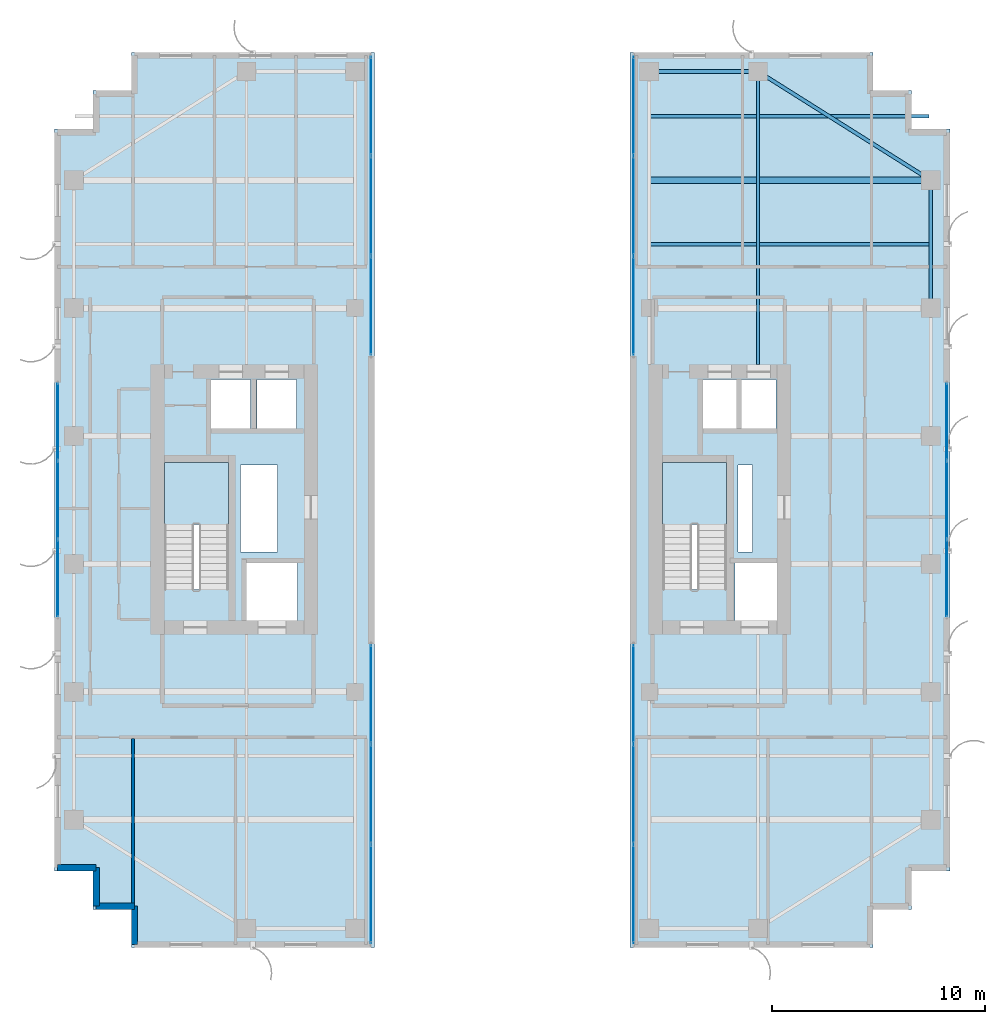
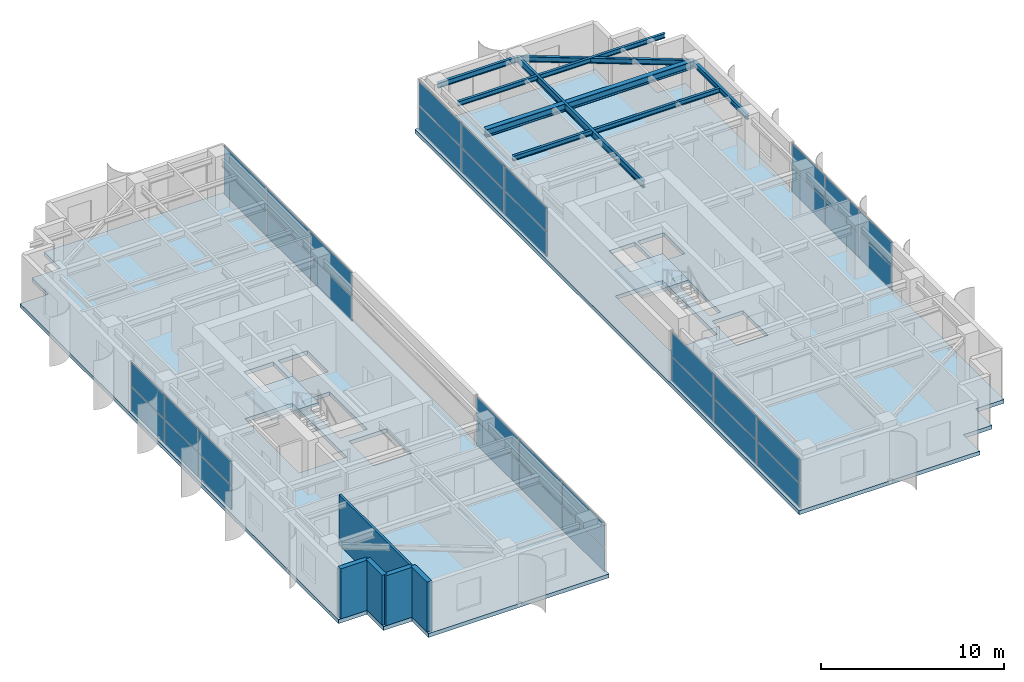
# One storey, part 15 of 22: 36 plates, 7 beams, 5 walls, 4 slabs, 8 elements without a shape of their own.
"""IFC4 building model written with IfcOpenShell, lengths in metres."""

from ifc_helpers import new_model, si_unit, direction, frame, frame_2d, origin, origin_2d, place, context, subcontext, project, spatial, polyline, rectangle, i_section, outline, extrude, source, transform, mapped, material, layer, layer_set, material_profile, profile_set, type_object, element, aggregate, save


model = new_model("IFC4")

# Units and contexts
model_context = context("Model", 3, precision=1e-05, world=origin(), true_north=direction((0.0, 1.0)))
body_context = subcontext(model_context, "Body", "Model", "MODEL_VIEW")
ifc_project = project(units=[si_unit("LENGTHUNIT", "METRE"), si_unit("AREAUNIT", "SQUARE_METRE"), si_unit("VOLUMEUNIT", "CUBIC_METRE"), si_unit("PLANEANGLEUNIT", "RADIAN"), si_unit("MASSUNIT", "GRAM", prefix="KILO")], contexts=[model_context])

# Site, building, storey
site_placement = place(None, origin())
site = spatial("IfcSite", under=ifc_project, at=site_placement, CompositionType="ELEMENT")
building_placement = place(site_placement, origin())
building = spatial("IfcBuilding", under=site, at=building_placement, Name="Khoralis Quay Care Tower", CompositionType="ELEMENT")
storey_placement = place(building_placement, frame((0.0, 0.0, 202.5)))
storey = spatial("IfcBuildingStorey", under=building, at=storey_placement, Name="L53", CompositionType="ELEMENT", Elevation=202.5)

# Beams
ifc_material_1 = material(Name="Steel S355", Category="steel")
ifc_material_profile_1 = material_profile(ifc_material_1, i_section(OverallWidth=0.169921875, OverallDepth=0.360107421875, WebThickness=0.008056640625, FlangeThickness=0.0126953125, FilletRadius=0.01806640625, at=origin_2d()), Name="Steel S355")
ifc_profile_set_1 = profile_set([ifc_material_profile_1], Name="Steel S355")
beam_type_1 = type_object("IfcBeamType", Name="BM-IPE360", PredefinedType="SPANDREL", material=ifc_profile_set_1)
shared_shape_1 = source(origin(), body_context, "Body", "SweptSolid", [
    extrude(i_section(OverallWidth=0.169921875, OverallDepth=0.360107421875, WebThickness=0.008056640625, FlangeThickness=0.0126953125, FilletRadius=0.01806640625, at=origin_2d()), origin(), (0.0, 0.0, 1.0), 5.10009765625),
])
beam_1_placement = place(storey_placement, frame((30.89990234375, 41.10009765625, 3.159912109375), z_axis=(1.0, 0.0, 0.0), x_axis=(0.0, 1.0, 0.0)))
element("IfcBeam", 1, at=beam_1_placement, inside=storey, type_object=beam_type_1, Name="BM-TSP-L53-04", PredefinedType="SPANDREL", context=body_context, shape_type="MappedRepresentation", body=[
    mapped(shared_shape_1, transform((0.0, 0.0, 0.0), scale=1.0)),
])
shared_shape_2 = source(origin(), body_context, "Body", "SweptSolid", [
    extrude(i_section(OverallWidth=0.169921875, OverallDepth=0.360107421875, WebThickness=0.008056640625, FlangeThickness=0.0126953125, FilletRadius=0.01806640625, at=origin_2d()), origin(), (0.0, 0.0, 1.0), 6.0),
])
beam_2_placement = place(storey_placement, frame((44.10009765625, 30.0, 3.159912109375), z_axis=(0.0, 1.0, 0.0), x_axis=(-1.0, 0.0, 0.0)))
element("IfcBeam", 2, at=beam_2_placement, inside=storey, type_object=beam_type_1, Name="BM-TSP-L53-14", PredefinedType="SPANDREL", context=body_context, shape_type="MappedRepresentation", body=[
    mapped(shared_shape_2, transform((0.0, 0.0, 0.0), scale=1.0)),
])
shared_shape_3 = source(origin(), body_context, "Body", "SweptSolid", [
    extrude(i_section(OverallWidth=0.169921875, OverallDepth=0.360107421875, WebThickness=0.008056640625, FlangeThickness=0.0126953125, FilletRadius=0.01806640625, at=origin_2d()), origin(), (0.0, 0.0, 1.0), 9.572021484375),
])
beam_3_placement = place(storey_placement, frame((36.0, 41.10009765625, 3.159912109375), z_axis=(0.846231136359, -0.532815975602, 0.0), x_axis=(0.532815975602, 0.846231136359, 0.0)))
element("IfcBeam", 3, at=beam_3_placement, inside=storey, type_object=beam_type_1, Name="BM-TCR-L53-18", PredefinedType="SPANDREL", context=body_context, shape_type="MappedRepresentation", body=[
    mapped(shared_shape_3, transform((0.0, 0.0, 0.0), scale=1.0)),
])
ifc_material_profile_2 = material_profile(ifc_material_1, i_section(OverallWidth=0.300048828125, OverallDepth=0.5, WebThickness=0.014404296875, FlangeThickness=0.028076171875, FilletRadius=0.027099609375, at=origin_2d()), Name="Steel S355")
ifc_profile_set_2 = profile_set([ifc_material_profile_2], Name="Steel S355")
beam_type_2 = type_object("IfcBeamType", Name="BM-HEB500", PredefinedType="BEAM", material=ifc_profile_set_2)
shared_shape_4 = source(origin(), body_context, "Body", "SweptSolid", [
    extrude(i_section(OverallWidth=0.300048828125, OverallDepth=0.5, WebThickness=0.014404296875, FlangeThickness=0.028076171875, FilletRadius=0.027099609375, at=origin_2d()), origin(), (0.0, 0.0, 1.0), 13.135009765625),
])
beam_4_placement = place(storey_placement, frame((30.965087890625, 36.0, 3.090087890625), z_axis=(1.0, 0.0, 0.0), x_axis=(0.0, 1.0, 0.0)))
element("IfcBeam", 4, at=beam_4_placement, inside=storey, type_object=beam_type_2, Name="BM-TGXE-L53-360", PredefinedType="BEAM", context=body_context, shape_type="MappedRepresentation", body=[
    mapped(shared_shape_4, transform((0.0, 0.0, 0.0), scale=1.0)),
])
ifc_material_profile_3 = material_profile(ifc_material_1, i_section(OverallWidth=0.154052734375, OverallDepth=0.458984375, WebThickness=0.009033203125, FlangeThickness=0.015380859375, FilletRadius=0.014892578125, at=origin_2d()), Name="Steel S355")
ifc_profile_set_3 = profile_set([ifc_material_profile_3], Name="Steel S355")
beam_type_3 = type_object("IfcBeamType", Name="BM-W460X68", PredefinedType="BEAM", material=ifc_profile_set_3)
shared_shape_5 = source(origin(), body_context, "Body", "SweptSolid", [
    extrude(i_section(OverallWidth=0.154052734375, OverallDepth=0.458984375, WebThickness=0.009033203125, FlangeThickness=0.015380859375, FilletRadius=0.014892578125, at=origin_2d()), origin(), (0.0, 0.0, 1.0), 13.752197265625),
])
beam_5_placement = place(storey_placement, frame((36.0, 27.347900390625, 3.110595703125), z_axis=(0.0, 1.0, 0.0), x_axis=(-1.0, 0.0, 0.0)))
element("IfcBeam", 5, at=beam_5_placement, inside=storey, type_object=beam_type_3, Name="BM-TGYN-L53-360", PredefinedType="BEAM", context=body_context, shape_type="MappedRepresentation", body=[
    mapped(shared_shape_5, transform((0.0, 0.0, 0.0), scale=1.0)),
])
ifc_material_profile_4 = material_profile(ifc_material_1, i_section(OverallWidth=0.1650390625, OverallDepth=0.31005859375, WebThickness=0.005859375, FlangeThickness=0.009765625, FilletRadius=0.011962890625, at=origin_2d()), Name="Steel S355")
ifc_profile_set_4 = profile_set([ifc_material_profile_4], Name="Steel S355")
beam_type_4 = type_object("IfcBeamType", Name="BM-W310X39", PredefinedType="JOIST", material=ifc_profile_set_4)
shared_shape_6 = source(origin(), body_context, "Body", "SweptSolid", [
    extrude(i_section(OverallWidth=0.1650390625, OverallDepth=0.31005859375, WebThickness=0.005859375, FlangeThickness=0.009765625, FilletRadius=0.011962890625, at=origin_2d()), origin(), (0.0, 0.0, 1.0), 13.06396484375),
])
for number, where, z_axis, x_axis, name in (
    (6, (30.965087890625, 33.0, 3.18505859375), (1.0, 0.0, 0.0), (0.0, 1.0, 0.0), "BM-TJS-L53-22"),
    (7, (30.965087890625, 39.0, 3.18505859375), (1.0, 0.0, 0.0), (0.0, 1.0, 0.0), "BM-TJS-L53-24"),
):
    element("IfcBeam", number, at=place(storey_placement, frame(where, z_axis=z_axis, x_axis=x_axis)), inside=storey, type_object=beam_type_4, Name=name, PredefinedType="JOIST", context=body_context, shape_type="MappedRepresentation", body=[
        mapped(shared_shape_6, transform((0.0, 0.0, 0.0), scale=1.0)),
    ])

# Stair, slab
ifc_material_2 = material(Name="Precast concrete C45/55", Category="concrete")
stair_type = type_object("IfcStairType", Name="ST-TWR-DOGLEG-1400", PredefinedType="HALF_TURN_STAIR", material=ifc_material_2)
stair_1_placement = place(storey_placement, origin())
stair_1 = element("IfcStair", 8, at=stair_1_placement, inside=storey, type_object=stair_type, Name="L53 West Core Exit Stair ST-T1", PredefinedType="HALF_TURN_STAIR")
ifc_layer_1 = layer(ifc_material_2, 0.199951171875)
ifc_layer_set_1 = layer_set([ifc_layer_1], Name="Precast concrete C45/55")
slab_type_1 = type_object("IfcSlabType", Name="SLB-LANDING-200", PredefinedType="LANDING", material=ifc_layer_set_1)
slab_1_placement = place(storey_placement, frame((0.0, 0.0, 1.60009765625)))
slab_1 = element("IfcSlab", 9, at=slab_1_placement, type_object=slab_type_1, Name="ST-T1 landing 1", PredefinedType="LANDING", context=body_context, shape_type="SweptSolid", body=[
    extrude(outline(polyline([(11.14990234375, 19.840087890625), (11.14990234375, 22.75), (8.14990234375, 22.75), (8.14990234375, 19.840087890625), (11.14990234375, 19.840087890625)])), origin(), (0.0, 0.0, 1.0), 0.199951171875),
])
aggregate(stair_1, [slab_1])

stair_2_placement = place(storey_placement, origin())
stair_2 = element("IfcStair", 10, at=stair_2_placement, inside=storey, type_object=stair_type, Name="L53 East Core Exit Stair ST-T2", PredefinedType="HALF_TURN_STAIR")
slab_2_placement = place(storey_placement, frame((0.0, 0.0, 1.60009765625)))
slab_2 = element("IfcSlab", 11, at=slab_2_placement, type_object=slab_type_1, Name="ST-T2 landing 1", PredefinedType="LANDING", context=body_context, shape_type="SweptSolid", body=[
    extrude(outline(polyline([(34.52001953125, 19.840087890625), (34.52001953125, 22.75), (31.52001953125, 22.75), (31.52001953125, 19.840087890625), (34.52001953125, 19.840087890625)])), origin(), (0.0, 0.0, 1.0), 0.199951171875),
])
aggregate(stair_2, [slab_2])

# Slabs
ifc_material_3 = material(Name="Concrete C40/50", Category="concrete")
ifc_layer_2 = layer(ifc_material_3, 0.260009765625)
ifc_layer_set_2 = layer_set([ifc_layer_2], Name="Concrete C40/50")
slab_type_2 = type_object("IfcSlabType", Name="SLB-TWR-260", PredefinedType="FLOOR", material=ifc_layer_set_2)
slab_3_placement = place(storey_placement, frame((0.0, 0.0, -0.260009765625)))
element("IfcSlab", 12, at=slab_3_placement, inside=storey, type_object=slab_type_2, Name="Tower Wing 1 Slab L53", PredefinedType="FLOOR", context=body_context, shape_type="SweptSolid", body=[
    extrude(outline(polyline([(6.60009765625, 0.0), (18.0, 0.0), (18.0, 42.0), (6.60009765625, 42.0), (6.60009765625, 40.199951171875), (4.800048828125, 40.199951171875), (4.800048828125, 38.39990234375), (3.0, 38.39990234375), (3.0, 3.60009765625), (4.800048828125, 3.60009765625), (4.800048828125, 1.800048828125), (6.60009765625, 1.800048828125), (6.60009765625, 0.0)]), holes=[polyline([(11.14990234375, 16.800048828125), (11.14990234375, 22.75), (8.14990234375, 22.75), (8.14990234375, 16.800048828125), (11.14990234375, 16.800048828125)]), polyline([(12.0, 15.35009765625), (14.39990234375, 15.35009765625), (14.39990234375, 18.050048828125), (12.0, 18.050048828125), (12.0, 15.35009765625)]), polyline([(10.35009765625, 24.35009765625), (12.199951171875, 24.35009765625), (12.199951171875, 26.64990234375), (10.35009765625, 26.64990234375), (10.35009765625, 24.35009765625)]), polyline([(12.5, 24.35009765625), (14.35009765625, 24.35009765625), (14.35009765625, 26.64990234375), (12.5, 26.64990234375), (12.5, 24.35009765625)]), polyline([(11.719970703125, 18.550048828125), (13.449951171875, 18.550048828125), (13.449951171875, 22.64990234375), (11.719970703125, 22.64990234375), (11.719970703125, 18.550048828125)])]), origin(), (0.0, 0.0, 1.0), 0.260009765625),
])
slab_4_placement = place(storey_placement, frame((0.0, 0.0, -0.260009765625)))
element("IfcSlab", 13, at=slab_4_placement, inside=storey, type_object=slab_type_2, Name="Tower Wing 2 Slab L53", PredefinedType="FLOOR", context=body_context, shape_type="SweptSolid", body=[
    extrude(outline(polyline([(30.0, 0.0), (41.39990234375, 0.0), (41.39990234375, 1.800048828125), (43.199951171875, 1.800048828125), (43.199951171875, 3.60009765625), (45.0, 3.60009765625), (45.0, 38.39990234375), (43.199951171875, 38.39990234375), (43.199951171875, 40.199951171875), (41.39990234375, 40.199951171875), (41.39990234375, 42.0), (30.0, 42.0), (30.0, 0.0)]), holes=[polyline([(34.52001953125, 16.800048828125), (34.52001953125, 22.75), (31.52001953125, 22.75), (31.52001953125, 16.800048828125), (34.52001953125, 16.800048828125)]), polyline([(34.919921875, 15.35009765625), (36.8798828125, 15.35009765625), (36.8798828125, 18.050048828125), (34.919921875, 18.050048828125), (34.919921875, 15.35009765625)]), polyline([(33.3798828125, 24.35009765625), (35.030029296875, 24.35009765625), (35.030029296875, 26.64990234375), (33.3798828125, 26.64990234375), (33.3798828125, 24.35009765625)]), polyline([(35.199951171875, 24.35009765625), (36.85009765625, 24.35009765625), (36.85009765625, 26.64990234375), (35.199951171875, 26.64990234375), (35.199951171875, 24.35009765625)]), polyline([(35.050048828125, 18.550048828125), (35.75, 18.550048828125), (35.75, 22.64990234375), (35.050048828125, 22.64990234375), (35.050048828125, 18.550048828125)])]), origin(), (0.0, 0.0, 1.0), 0.260009765625),
])

# Curtain wall, plates
ifc_material_4 = material(Name="Pale anodised aluminium", Category="aluminium")
ifc_layer_3 = layer(ifc_material_4, 0.159912109375)
ifc_layer_set_3 = layer_set([ifc_layer_3], Name="Pale anodised aluminium")
curtain_wall_type_1 = type_object("IfcCurtainWallType", Name="CW-SYS-Z3", PredefinedType="NOTDEFINED", material=ifc_layer_set_3)
curtain_wall_1_placement = place(storey_placement, origin())
curtain_wall_1 = element("IfcCurtainWall", 14, at=curtain_wall_1_placement, inside=storey, type_object=curtain_wall_type_1, Name="L53 Unitised Curtain Wall CW-L53-P1-E7", PredefinedType="NOTDEFINED")
ifc_material_5 = material(Name="Low-E solar-control double glazing", Category="glass")
ifc_layer_4 = layer(ifc_material_5, 0.031982421875)
ifc_layer_set_4 = layer_set([ifc_layer_4], Name="Low-E solar-control double glazing")
plate_type = type_object("IfcPlateType", Name="PNL-VIS-32", PredefinedType="CURTAIN_PANEL", material=ifc_layer_set_4)
shared_shape_7 = source(origin(), body_context, "Body", "SweptSolid", [
    extrude(rectangle(XDim=3.590087890625, YDim=0.028076171875, at=origin_2d()), origin(), (0.0, 0.0, 1.0), 1.580078125),
])
plate_1_placement = place(storey_placement, frame((3.14990234375, 24.6650390625, 0.06005859375), z_axis=(0.0, 0.0, 1.0), x_axis=(0.0, -1.0, 0.0)))
plate_1 = element("IfcPlate", 15, at=plate_1_placement, type_object=plate_type, Name="CW3 panel 1.1", PredefinedType="CURTAIN_PANEL", context=body_context, shape_type="MappedRepresentation", body=[
    mapped(shared_shape_7, transform((0.0, 0.0, 0.0), scale=1.0)),
])
plate_2_placement = place(storey_placement, frame((3.14990234375, 24.6650390625, 1.699951171875), z_axis=(0.0, 0.0, 1.0), x_axis=(0.0, -1.0, 0.0)))
plate_2 = element("IfcPlate", 16, at=plate_2_placement, type_object=plate_type, Name="CW3 panel 1.2", PredefinedType="CURTAIN_PANEL", context=body_context, shape_type="MappedRepresentation", body=[
    mapped(shared_shape_7, transform((0.0, 0.0, 0.0), scale=1.0)),
])
plate_3_placement = place(storey_placement, frame((3.14990234375, 17.3349609375, 0.06005859375), z_axis=(0.0, 0.0, 1.0), x_axis=(0.0, -1.0, 0.0)))
plate_3 = element("IfcPlate", 17, at=plate_3_placement, type_object=plate_type, Name="CW3 panel 3.1", PredefinedType="CURTAIN_PANEL", context=body_context, shape_type="MappedRepresentation", body=[
    mapped(shared_shape_7, transform((0.0, 0.0, 0.0), scale=1.0)),
])
plate_4_placement = place(storey_placement, frame((3.14990234375, 17.3349609375, 1.699951171875), z_axis=(0.0, 0.0, 1.0), x_axis=(0.0, -1.0, 0.0)))
plate_4 = element("IfcPlate", 18, at=plate_4_placement, type_object=plate_type, Name="CW3 panel 3.2", PredefinedType="CURTAIN_PANEL", context=body_context, shape_type="MappedRepresentation", body=[
    mapped(shared_shape_7, transform((0.0, 0.0, 0.0), scale=1.0)),
])

curtain_wall_2_placement = place(storey_placement, origin())
curtain_wall_2 = element("IfcCurtainWall", 19, at=curtain_wall_2_placement, inside=storey, type_object=curtain_wall_type_1, Name="L53 Unitised Curtain Wall CW-L53-P2-E5", PredefinedType="NOTDEFINED")
plate_5_placement = place(storey_placement, frame((44.85009765625, 17.3349609375, 0.06005859375), z_axis=(0.0, 0.0, 1.0), x_axis=(0.0, 1.0, 0.0)))
plate_5 = element("IfcPlate", 20, at=plate_5_placement, type_object=plate_type, Name="CW3 panel 1.1", PredefinedType="CURTAIN_PANEL", context=body_context, shape_type="MappedRepresentation", body=[
    mapped(shared_shape_7, transform((0.0, 0.0, 0.0), scale=1.0)),
])
plate_6_placement = place(storey_placement, frame((44.85009765625, 17.3349609375, 1.699951171875), z_axis=(0.0, 0.0, 1.0), x_axis=(0.0, 1.0, 0.0)))
plate_6 = element("IfcPlate", 21, at=plate_6_placement, type_object=plate_type, Name="CW3 panel 1.2", PredefinedType="CURTAIN_PANEL", context=body_context, shape_type="MappedRepresentation", body=[
    mapped(shared_shape_7, transform((0.0, 0.0, 0.0), scale=1.0)),
])
plate_7_placement = place(storey_placement, frame((44.85009765625, 24.6650390625, 0.06005859375), z_axis=(0.0, 0.0, 1.0), x_axis=(0.0, 1.0, 0.0)))
plate_7 = element("IfcPlate", 22, at=plate_7_placement, type_object=plate_type, Name="CW3 panel 3.1", PredefinedType="CURTAIN_PANEL", context=body_context, shape_type="MappedRepresentation", body=[
    mapped(shared_shape_7, transform((0.0, 0.0, 0.0), scale=1.0)),
])
plate_8_placement = place(storey_placement, frame((44.85009765625, 24.6650390625, 1.699951171875), z_axis=(0.0, 0.0, 1.0), x_axis=(0.0, 1.0, 0.0)))
plate_8 = element("IfcPlate", 23, at=plate_8_placement, type_object=plate_type, Name="CW3 panel 3.2", PredefinedType="CURTAIN_PANEL", context=body_context, shape_type="MappedRepresentation", body=[
    mapped(shared_shape_7, transform((0.0, 0.0, 0.0), scale=1.0)),
])

# Plate
shared_shape_8 = source(origin(), body_context, "Body", "SweptSolid", [
    extrude(rectangle(XDim=3.6201171875, YDim=0.028076171875, at=origin_2d()), origin(), (0.0, 0.0, 1.0), 1.580078125),
])
plate_9_placement = place(storey_placement, frame((3.14990234375, 21.0, 0.06005859375), z_axis=(0.0, 0.0, 1.0), x_axis=(0.0, -1.0, 0.0)))
plate_9 = element("IfcPlate", 24, at=plate_9_placement, type_object=plate_type, Name="CW3 panel 2.1", PredefinedType="CURTAIN_PANEL", context=body_context, shape_type="MappedRepresentation", body=[
    mapped(shared_shape_8, transform((0.0, 0.0, 0.0), scale=1.0)),
])

plate_10_placement = place(storey_placement, frame((3.14990234375, 21.0, 1.699951171875), z_axis=(0.0, 0.0, 1.0), x_axis=(0.0, -1.0, 0.0)))
plate_10 = element("IfcPlate", 25, at=plate_10_placement, type_object=plate_type, Name="CW3 panel 2.2", PredefinedType="CURTAIN_PANEL", context=body_context, shape_type="MappedRepresentation", body=[
    mapped(shared_shape_8, transform((0.0, 0.0, 0.0), scale=1.0)),
])

aggregate(curtain_wall_1, [plate_1, plate_2, plate_9, plate_10, plate_3, plate_4])

plate_11_placement = place(storey_placement, frame((44.85009765625, 21.0, 0.06005859375), z_axis=(0.0, 0.0, 1.0), x_axis=(0.0, 1.0, 0.0)))
plate_11 = element("IfcPlate", 26, at=plate_11_placement, type_object=plate_type, Name="CW3 panel 2.1", PredefinedType="CURTAIN_PANEL", context=body_context, shape_type="MappedRepresentation", body=[
    mapped(shared_shape_8, transform((0.0, 0.0, 0.0), scale=1.0)),
])

plate_12_placement = place(storey_placement, frame((44.85009765625, 21.0, 1.699951171875), z_axis=(0.0, 0.0, 1.0), x_axis=(0.0, 1.0, 0.0)))
plate_12 = element("IfcPlate", 27, at=plate_12_placement, type_object=plate_type, Name="CW3 panel 2.2", PredefinedType="CURTAIN_PANEL", context=body_context, shape_type="MappedRepresentation", body=[
    mapped(shared_shape_8, transform((0.0, 0.0, 0.0), scale=1.0)),
])

aggregate(curtain_wall_2, [plate_5, plate_6, plate_11, plate_12, plate_7, plate_8])

# Curtain wall, plates
ifc_layer_5 = layer(ifc_material_4, 0.18994140625)
ifc_layer_set_5 = layer_set([ifc_layer_5], Name="Pale anodised aluminium")
curtain_wall_type_2 = type_object("IfcCurtainWallType", Name="CW-SYS-PORTAL", PredefinedType="NOTDEFINED", material=ifc_layer_set_5)
curtain_wall_3_placement = place(storey_placement, origin())
curtain_wall_3 = element("IfcCurtainWall", 28, at=curtain_wall_3_placement, inside=storey, type_object=curtain_wall_type_2, Name="L53 Unitised Curtain Wall CW-VP-L53-P1-S", PredefinedType="NOTDEFINED")
shared_shape_9 = source(origin(), body_context, "Body", "SweptSolid", [
    extrude(rectangle(XDim=4.610107421875, YDim=0.028076171875, at=origin_2d()), origin(), (0.0, 0.0, 1.0), 1.580078125),
])
plate_13_placement = place(storey_placement, frame((17.85009765625, 2.514892578125, 0.06005859375), z_axis=(0.0, 0.0, 1.0), x_axis=(0.0, 1.0, 0.0)))
plate_13 = element("IfcPlate", 29, at=plate_13_placement, type_object=plate_type, Name="CW4 panel 1.1", PredefinedType="CURTAIN_PANEL", context=body_context, shape_type="MappedRepresentation", body=[
    mapped(shared_shape_9, transform((0.0, 0.0, 0.0), scale=1.0)),
])
plate_14_placement = place(storey_placement, frame((17.85009765625, 2.514892578125, 1.699951171875), z_axis=(0.0, 0.0, 1.0), x_axis=(0.0, 1.0, 0.0)))
plate_14 = element("IfcPlate", 30, at=plate_14_placement, type_object=plate_type, Name="CW4 panel 1.2", PredefinedType="CURTAIN_PANEL", context=body_context, shape_type="MappedRepresentation", body=[
    mapped(shared_shape_9, transform((0.0, 0.0, 0.0), scale=1.0)),
])
plate_15_placement = place(storey_placement, frame((17.85009765625, 11.885009765625, 0.06005859375), z_axis=(0.0, 0.0, 1.0), x_axis=(0.0, 1.0, 0.0)))
plate_15 = element("IfcPlate", 31, at=plate_15_placement, type_object=plate_type, Name="CW4 panel 3.1", PredefinedType="CURTAIN_PANEL", context=body_context, shape_type="MappedRepresentation", body=[
    mapped(shared_shape_9, transform((0.0, 0.0, 0.0), scale=1.0)),
])
plate_16_placement = place(storey_placement, frame((17.85009765625, 11.885009765625, 1.699951171875), z_axis=(0.0, 0.0, 1.0), x_axis=(0.0, 1.0, 0.0)))
plate_16 = element("IfcPlate", 32, at=plate_16_placement, type_object=plate_type, Name="CW4 panel 3.2", PredefinedType="CURTAIN_PANEL", context=body_context, shape_type="MappedRepresentation", body=[
    mapped(shared_shape_9, transform((0.0, 0.0, 0.0), scale=1.0)),
])

curtain_wall_4_placement = place(storey_placement, origin())
curtain_wall_4 = element("IfcCurtainWall", 33, at=curtain_wall_4_placement, inside=storey, type_object=curtain_wall_type_2, Name="L53 Unitised Curtain Wall CW-VP-L53-P1-N", PredefinedType="NOTDEFINED")
plate_17_placement = place(storey_placement, frame((17.85009765625, 30.114990234375, 0.06005859375), z_axis=(0.0, 0.0, 1.0), x_axis=(0.0, 1.0, 0.0)))
plate_17 = element("IfcPlate", 34, at=plate_17_placement, type_object=plate_type, Name="CW4 panel 1.1", PredefinedType="CURTAIN_PANEL", context=body_context, shape_type="MappedRepresentation", body=[
    mapped(shared_shape_9, transform((0.0, 0.0, 0.0), scale=1.0)),
])
plate_18_placement = place(storey_placement, frame((17.85009765625, 30.114990234375, 1.699951171875), z_axis=(0.0, 0.0, 1.0), x_axis=(0.0, 1.0, 0.0)))
plate_18 = element("IfcPlate", 35, at=plate_18_placement, type_object=plate_type, Name="CW4 panel 1.2", PredefinedType="CURTAIN_PANEL", context=body_context, shape_type="MappedRepresentation", body=[
    mapped(shared_shape_9, transform((0.0, 0.0, 0.0), scale=1.0)),
])
plate_19_placement = place(storey_placement, frame((17.85009765625, 39.485107421875, 0.06005859375), z_axis=(0.0, 0.0, 1.0), x_axis=(0.0, 1.0, 0.0)))
plate_19 = element("IfcPlate", 36, at=plate_19_placement, type_object=plate_type, Name="CW4 panel 3.1", PredefinedType="CURTAIN_PANEL", context=body_context, shape_type="MappedRepresentation", body=[
    mapped(shared_shape_9, transform((0.0, 0.0, 0.0), scale=1.0)),
])
plate_20_placement = place(storey_placement, frame((17.85009765625, 39.485107421875, 1.699951171875), z_axis=(0.0, 0.0, 1.0), x_axis=(0.0, 1.0, 0.0)))
plate_20 = element("IfcPlate", 37, at=plate_20_placement, type_object=plate_type, Name="CW4 panel 3.2", PredefinedType="CURTAIN_PANEL", context=body_context, shape_type="MappedRepresentation", body=[
    mapped(shared_shape_9, transform((0.0, 0.0, 0.0), scale=1.0)),
])

curtain_wall_5_placement = place(storey_placement, origin())
curtain_wall_5 = element("IfcCurtainWall", 38, at=curtain_wall_5_placement, inside=storey, type_object=curtain_wall_type_2, Name="L53 Unitised Curtain Wall CW-VP-L53-P2-S", PredefinedType="NOTDEFINED")
plate_21_placement = place(storey_placement, frame((30.14990234375, 2.514892578125, 0.06005859375), z_axis=(0.0, 0.0, 1.0), x_axis=(0.0, 1.0, 0.0)))
plate_21 = element("IfcPlate", 39, at=plate_21_placement, type_object=plate_type, Name="CW4 panel 1.1", PredefinedType="CURTAIN_PANEL", context=body_context, shape_type="MappedRepresentation", body=[
    mapped(shared_shape_9, transform((0.0, 0.0, 0.0), scale=1.0)),
])
plate_22_placement = place(storey_placement, frame((30.14990234375, 2.514892578125, 1.699951171875), z_axis=(0.0, 0.0, 1.0), x_axis=(0.0, 1.0, 0.0)))
plate_22 = element("IfcPlate", 40, at=plate_22_placement, type_object=plate_type, Name="CW4 panel 1.2", PredefinedType="CURTAIN_PANEL", context=body_context, shape_type="MappedRepresentation", body=[
    mapped(shared_shape_9, transform((0.0, 0.0, 0.0), scale=1.0)),
])
plate_23_placement = place(storey_placement, frame((30.14990234375, 11.885009765625, 0.06005859375), z_axis=(0.0, 0.0, 1.0), x_axis=(0.0, 1.0, 0.0)))
plate_23 = element("IfcPlate", 41, at=plate_23_placement, type_object=plate_type, Name="CW4 panel 3.1", PredefinedType="CURTAIN_PANEL", context=body_context, shape_type="MappedRepresentation", body=[
    mapped(shared_shape_9, transform((0.0, 0.0, 0.0), scale=1.0)),
])
plate_24_placement = place(storey_placement, frame((30.14990234375, 11.885009765625, 1.699951171875), z_axis=(0.0, 0.0, 1.0), x_axis=(0.0, 1.0, 0.0)))
plate_24 = element("IfcPlate", 42, at=plate_24_placement, type_object=plate_type, Name="CW4 panel 3.2", PredefinedType="CURTAIN_PANEL", context=body_context, shape_type="MappedRepresentation", body=[
    mapped(shared_shape_9, transform((0.0, 0.0, 0.0), scale=1.0)),
])

curtain_wall_6_placement = place(storey_placement, origin())
curtain_wall_6 = element("IfcCurtainWall", 43, at=curtain_wall_6_placement, inside=storey, type_object=curtain_wall_type_2, Name="L53 Unitised Curtain Wall CW-VP-L53-P2-N", PredefinedType="NOTDEFINED")
plate_25_placement = place(storey_placement, frame((30.14990234375, 30.114990234375, 0.06005859375), z_axis=(0.0, 0.0, 1.0), x_axis=(0.0, 1.0, 0.0)))
plate_25 = element("IfcPlate", 44, at=plate_25_placement, type_object=plate_type, Name="CW4 panel 1.1", PredefinedType="CURTAIN_PANEL", context=body_context, shape_type="MappedRepresentation", body=[
    mapped(shared_shape_9, transform((0.0, 0.0, 0.0), scale=1.0)),
])
plate_26_placement = place(storey_placement, frame((30.14990234375, 30.114990234375, 1.699951171875), z_axis=(0.0, 0.0, 1.0), x_axis=(0.0, 1.0, 0.0)))
plate_26 = element("IfcPlate", 45, at=plate_26_placement, type_object=plate_type, Name="CW4 panel 1.2", PredefinedType="CURTAIN_PANEL", context=body_context, shape_type="MappedRepresentation", body=[
    mapped(shared_shape_9, transform((0.0, 0.0, 0.0), scale=1.0)),
])
plate_27_placement = place(storey_placement, frame((30.14990234375, 39.485107421875, 0.06005859375), z_axis=(0.0, 0.0, 1.0), x_axis=(0.0, 1.0, 0.0)))
plate_27 = element("IfcPlate", 46, at=plate_27_placement, type_object=plate_type, Name="CW4 panel 3.1", PredefinedType="CURTAIN_PANEL", context=body_context, shape_type="MappedRepresentation", body=[
    mapped(shared_shape_9, transform((0.0, 0.0, 0.0), scale=1.0)),
])
plate_28_placement = place(storey_placement, frame((30.14990234375, 39.485107421875, 1.699951171875), z_axis=(0.0, 0.0, 1.0), x_axis=(0.0, 1.0, 0.0)))
plate_28 = element("IfcPlate", 47, at=plate_28_placement, type_object=plate_type, Name="CW4 panel 3.2", PredefinedType="CURTAIN_PANEL", context=body_context, shape_type="MappedRepresentation", body=[
    mapped(shared_shape_9, transform((0.0, 0.0, 0.0), scale=1.0)),
])

# Plate
shared_shape_10 = source(origin(), body_context, "Body", "SweptSolid", [
    extrude(rectangle(XDim=4.639892578125, YDim=0.028076171875, at=origin_2d()), origin(), (0.0, 0.0, 1.0), 1.580078125),
])
plate_29_placement = place(storey_placement, frame((17.85009765625, 7.199951171875, 0.06005859375), z_axis=(0.0, 0.0, 1.0), x_axis=(0.0, 1.0, 0.0)))
plate_29 = element("IfcPlate", 48, at=plate_29_placement, type_object=plate_type, Name="CW4 panel 2.1", PredefinedType="CURTAIN_PANEL", context=body_context, shape_type="MappedRepresentation", body=[
    mapped(shared_shape_10, transform((0.0, 0.0, 0.0), scale=1.0)),
])

plate_30_placement = place(storey_placement, frame((17.85009765625, 7.199951171875, 1.699951171875), z_axis=(0.0, 0.0, 1.0), x_axis=(0.0, 1.0, 0.0)))
plate_30 = element("IfcPlate", 49, at=plate_30_placement, type_object=plate_type, Name="CW4 panel 2.2", PredefinedType="CURTAIN_PANEL", context=body_context, shape_type="MappedRepresentation", body=[
    mapped(shared_shape_10, transform((0.0, 0.0, 0.0), scale=1.0)),
])

aggregate(curtain_wall_3, [plate_13, plate_14, plate_29, plate_30, plate_15, plate_16])

plate_31_placement = place(storey_placement, frame((17.85009765625, 34.800048828125, 0.06005859375), z_axis=(0.0, 0.0, 1.0), x_axis=(0.0, 1.0, 0.0)))
plate_31 = element("IfcPlate", 50, at=plate_31_placement, type_object=plate_type, Name="CW4 panel 2.1", PredefinedType="CURTAIN_PANEL", context=body_context, shape_type="MappedRepresentation", body=[
    mapped(shared_shape_10, transform((0.0, 0.0, 0.0), scale=1.0)),
])

plate_32_placement = place(storey_placement, frame((17.85009765625, 34.800048828125, 1.699951171875), z_axis=(0.0, 0.0, 1.0), x_axis=(0.0, 1.0, 0.0)))
plate_32 = element("IfcPlate", 51, at=plate_32_placement, type_object=plate_type, Name="CW4 panel 2.2", PredefinedType="CURTAIN_PANEL", context=body_context, shape_type="MappedRepresentation", body=[
    mapped(shared_shape_10, transform((0.0, 0.0, 0.0), scale=1.0)),
])

aggregate(curtain_wall_4, [plate_17, plate_18, plate_31, plate_32, plate_19, plate_20])

plate_33_placement = place(storey_placement, frame((30.14990234375, 7.199951171875, 0.06005859375), z_axis=(0.0, 0.0, 1.0), x_axis=(0.0, 1.0, 0.0)))
plate_33 = element("IfcPlate", 52, at=plate_33_placement, type_object=plate_type, Name="CW4 panel 2.1", PredefinedType="CURTAIN_PANEL", context=body_context, shape_type="MappedRepresentation", body=[
    mapped(shared_shape_10, transform((0.0, 0.0, 0.0), scale=1.0)),
])

plate_34_placement = place(storey_placement, frame((30.14990234375, 7.199951171875, 1.699951171875), z_axis=(0.0, 0.0, 1.0), x_axis=(0.0, 1.0, 0.0)))
plate_34 = element("IfcPlate", 53, at=plate_34_placement, type_object=plate_type, Name="CW4 panel 2.2", PredefinedType="CURTAIN_PANEL", context=body_context, shape_type="MappedRepresentation", body=[
    mapped(shared_shape_10, transform((0.0, 0.0, 0.0), scale=1.0)),
])

aggregate(curtain_wall_5, [plate_21, plate_22, plate_33, plate_34, plate_23, plate_24])

plate_35_placement = place(storey_placement, frame((30.14990234375, 34.800048828125, 0.06005859375), z_axis=(0.0, 0.0, 1.0), x_axis=(0.0, 1.0, 0.0)))
plate_35 = element("IfcPlate", 54, at=plate_35_placement, type_object=plate_type, Name="CW4 panel 2.1", PredefinedType="CURTAIN_PANEL", context=body_context, shape_type="MappedRepresentation", body=[
    mapped(shared_shape_10, transform((0.0, 0.0, 0.0), scale=1.0)),
])

plate_36_placement = place(storey_placement, frame((30.14990234375, 34.800048828125, 1.699951171875), z_axis=(0.0, 0.0, 1.0), x_axis=(0.0, 1.0, 0.0)))
plate_36 = element("IfcPlate", 55, at=plate_36_placement, type_object=plate_type, Name="CW4 panel 2.2", PredefinedType="CURTAIN_PANEL", context=body_context, shape_type="MappedRepresentation", body=[
    mapped(shared_shape_10, transform((0.0, 0.0, 0.0), scale=1.0)),
])

aggregate(curtain_wall_6, [plate_25, plate_26, plate_35, plate_36, plate_27, plate_28])

# Walls
ifc_layer_6 = layer(ifc_material_2, 0.300048828125)
ifc_layer_set_6 = layer_set([ifc_layer_6], Name="Precast concrete C45/55")
wall_type_1 = type_object("IfcWallType", Name="WL-EXT-REF-300", PredefinedType="SOLIDWALL", material=ifc_layer_set_6)
for number, where, z_axis, x_axis, name in (
    (56, (3.14990234375, 3.75, 0.0), (0.0, 0.0, 1.0), (1.0, 0.0, 0.0), "L53 External Facade Wall WL-EXT-L53-P1-C8"),
    (57, (4.949951171875, 3.75, 0.0), (0.0, 0.0, 1.0), (0.0, -1.0, 0.0), "L53 External Facade Wall WL-EXT-L53-P1-C9"),
    (58, (4.949951171875, 1.949951171875, 0.0), (0.0, 0.0, 1.0), (1.0, 0.0, 0.0), "L53 External Facade Wall WL-EXT-L53-P1-C10"),
    (59, (6.75, 1.949951171875, 0.0), (0.0, 0.0, 1.0), (0.0, -1.0, 0.0), "L53 External Facade Wall WL-EXT-L53-P1-C11"),
):
    element("IfcWall", number, at=place(storey_placement, frame(where, z_axis=z_axis, x_axis=x_axis)), inside=storey, type_object=wall_type_1, Name=name, PredefinedType="SOLIDWALL", context=body_context, shape_type="SweptSolid", body=[
        extrude(rectangle(XDim=1.800048828125, YDim=0.300048828125, at=frame_2d((0.89990234375, 0.0))), origin(), (0.0, 0.0, 1.0), 3.340087890625),
    ])
ifc_material_6 = material(Name="Gypsum plasterboard on acoustic metal stud")
ifc_layer_7 = layer(ifc_material_6, 0.139892578125)
ifc_layer_set_7 = layer_set([ifc_layer_7], Name="Gypsum plasterboard on acoustic metal stud")
wall_type_2 = type_object("IfcWallType", Name="WL-UNIT-140", PredefinedType="PARTITIONING", material=ifc_layer_set_7)
wall_placement = place(storey_placement, frame((6.679931640625, 1.945068359375, 0.0), z_axis=(0.0, 0.0, 1.0), x_axis=(0.0, 1.0, 0.0)))
element("IfcWall", 60, at=wall_placement, inside=storey, type_object=wall_type_2, Name="L53 WS Demising Wall 0", PredefinedType="PARTITIONING", context=body_context, shape_type="SweptSolid", body=[
    extrude(rectangle(XDim=7.857421875, YDim=0.139892578125, at=frame_2d((3.9287109375, 0.0))), origin(), (0.0, 0.0, 1.0), 3.340087890625),
])

save(model, "model.ifc")
